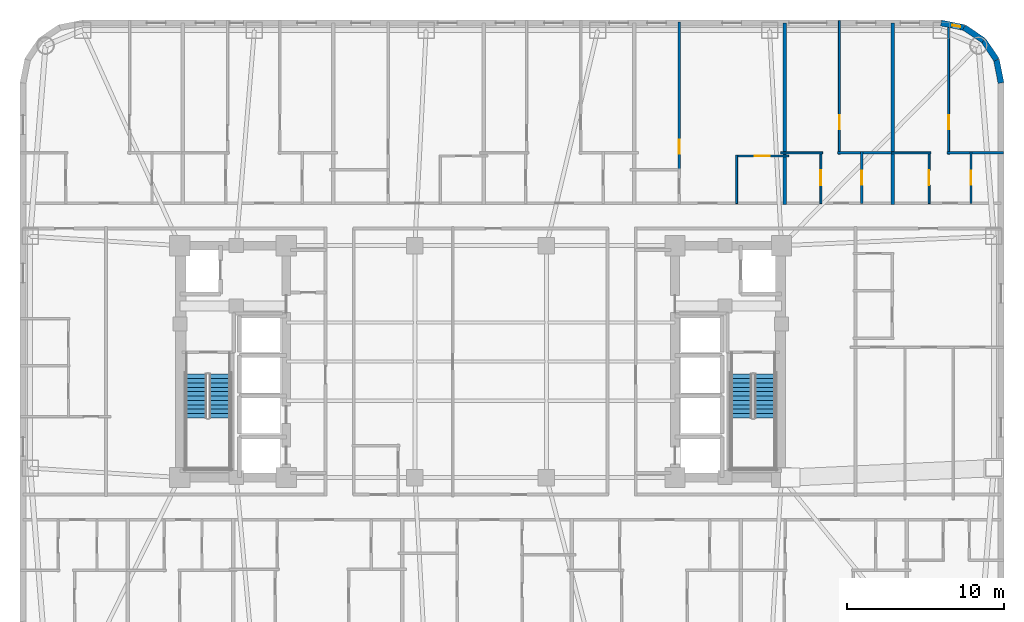
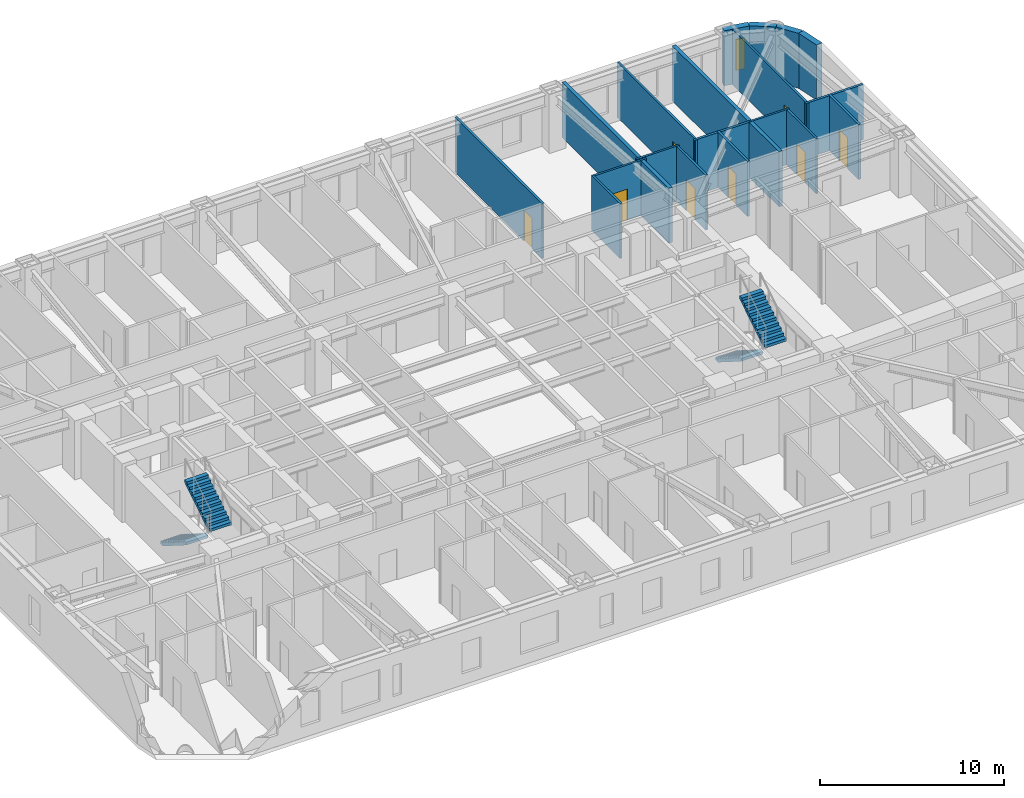
# One storey, part 9 of 11: 19 walls, 8 doors, 4 stair flights, 1 window, 9 openings, 2 elements without a shape of their own.
"""IFC4 building model written with IfcOpenShell, lengths in metres."""

from ifc_helpers import new_model, si_unit, direction, frame, frame_2d, origin, place, context, subcontext, project, spatial, polyline, rectangle, outline, extrude, material, layer, layer_set, type_object, element, fill, aggregate, save


model = new_model("IFC4")

# Units and contexts
model_context = context("Model", 3, precision=1e-05, world=origin(), true_north=direction((0.0, 1.0)))
body_context = subcontext(model_context, "Body", "Model", "MODEL_VIEW")
ifc_project = project(units=[si_unit("LENGTHUNIT", "METRE"), si_unit("AREAUNIT", "SQUARE_METRE"), si_unit("VOLUMEUNIT", "CUBIC_METRE"), si_unit("PLANEANGLEUNIT", "RADIAN"), si_unit("MASSUNIT", "GRAM", prefix="KILO")], contexts=[model_context])

# Site, building, storey
site_placement = place(None, origin())
site = spatial("IfcSite", under=ifc_project, at=site_placement, CompositionType="ELEMENT")
building_placement = place(site_placement, origin())
building = spatial("IfcBuilding", under=site, at=building_placement, Name="Voryun Gate Residences", CompositionType="ELEMENT")
storey_placement = place(building_placement, frame((0.0, 0.0, 105.300048828125)))
storey = spatial("IfcBuildingStorey", under=building, at=storey_placement, Name="L25", CompositionType="ELEMENT", Elevation=105.300048828125)

# Wall, opening, window
ifc_material_1 = material(Name="Granite masonry", Category="masonry")
ifc_layer_1 = layer(ifc_material_1, 0.3798828125, Name="W_EXT_GRANITE_380")
ifc_layer_set_1 = layer_set([ifc_layer_1], Name="Granite masonry")
wall_type_1 = type_object("IfcWallType", Name="W_EXT_GRANITE_380", PredefinedType="ELEMENTEDWALL", material=ifc_layer_set_1)
wall_1_placement = place(storey_placement, frame((29.38134765625, 21.610107421875, 0.0), z_axis=(0.0, 0.0, 1.0), x_axis=(0.980755066645, -0.195242155415, 0.0)))
wall_1 = element("IfcWall", 1, at=wall_1_placement, inside=storey, type_object=wall_type_1, Name="Exterior wall WEXT-L25-12", PredefinedType="ELEMENTEDWALL", context=body_context, shape_type="SweptSolid", body=[
    extrude(rectangle(XDim=1.50439453125, YDim=0.3798828125, at=frame_2d((0.752197265625, 0.0))), origin(), (0.0, 0.0, 1.0), 3.64990234375),
])
opening_1_placement = place(wall_1_placement, frame((0.732177734375, 0.0, 0.75)))
opening_1 = element("IfcOpeningElement", 2, at=opening_1_placement, cuts=wall_1, Name="Opening WN10", PredefinedType="OPENING", context=body_context, shape_type="SweptSolid", body=[
    extrude(rectangle(XDim=0.52001953125, YDim=2.050048828125, at=frame_2d((0.260009765625, 1.02490234375))), frame((0.0, 0.199951171875, 0.0), z_axis=(0.0, -1.0, 0.0), x_axis=(1.0, 0.0, 0.0)), (0.0, 0.0, 1.0), 0.39990234375),
])
ifc_material_2 = material(Name="Laminated low-E glass", Category="glass")
window_type = type_object("IfcWindowType", Name="WN_PAGODA_LANCET_520", PartitioningType="SINGLE_PANEL", PredefinedType="WINDOW", material=ifc_material_2)
window_placement = place(opening_1_placement, origin())
window = element("IfcWindow", 3, at=window_placement, inside=storey, type_object=window_type, Name="Window WN-L25-DWFIX-15", OverallHeight=2.050048828125, OverallWidth=0.52001953125, PartitioningType="SINGLE_PANEL", PredefinedType="WINDOW", context=body_context, shape_type="SweptSolid", body=[
    extrude(rectangle(XDim=0.52001953125, YDim=2.050048828125, at=frame_2d((0.260009765625, 1.02490234375))), frame((0.0, 0.030029296875, 0.0), z_axis=(0.0, -1.0, 0.0), x_axis=(1.0, 0.0, 0.0)), (0.0, 0.0, 1.0), 0.06005859375),
])
fill(opening_1, window)

# Walls
wall_2_placement = place(storey_placement, frame((30.856689453125, 21.31640625, 0.0), z_axis=(0.0, 0.0, 1.0), x_axis=(0.831468045563, -0.555572577804, 0.0)))
element("IfcWall", 4, at=wall_2_placement, inside=storey, type_object=wall_type_1, Name="Exterior wall WEXT-L25-13", PredefinedType="ELEMENTEDWALL", context=body_context, shape_type="SweptSolid", body=[
    extrude(rectangle(XDim=1.48486328125, YDim=0.3798828125, at=frame_2d((0.742431640625, 0.0))), origin(), (0.0, 0.0, 1.0), 3.64990234375),
])
wall_3_placement = place(storey_placement, frame((32.09130859375, 20.491455078125, 0.0), z_axis=(0.0, 0.0, 1.0), x_axis=(0.555610286119, -0.831442848281, 0.0)))
element("IfcWall", 5, at=wall_3_placement, inside=storey, type_object=wall_type_1, Name="Exterior wall WEXT-L25-14", PredefinedType="ELEMENTEDWALL", context=body_context, shape_type="SweptSolid", body=[
    extrude(rectangle(XDim=1.485107421875, YDim=0.3798828125, at=frame_2d((0.74267578125, 0.0))), origin(), (0.0, 0.0, 1.0), 3.64990234375),
])
wall_4_placement = place(storey_placement, frame((32.91650390625, 19.256591796875, 0.0), z_axis=(0.0, 0.0, 1.0), x_axis=(0.195086038585, -0.980786132421, 0.0)))
element("IfcWall", 6, at=wall_4_placement, inside=storey, type_object=wall_type_1, Name="Exterior wall WEXT-L25-15", PredefinedType="ELEMENTEDWALL", context=body_context, shape_type="SweptSolid", body=[
    extrude(rectangle(XDim=1.504150390625, YDim=0.3798828125, at=frame_2d((0.751953125, 0.0))), origin(), (0.0, 0.0, 1.0), 3.64990234375),
])
ifc_material_3 = material(Name="Concrete C40/50", Category="concrete")
ifc_layer_2 = layer(ifc_material_3, 0.219970703125, Name="W_PARTY_ACOUSTIC_220")
ifc_layer_set_2 = layer_set([ifc_layer_2], Name="Concrete C40/50")
wall_type_2 = type_object("IfcWallType", Name="W_PARTY_ACOUSTIC_220", PredefinedType="PARTITIONING", material=ifc_layer_set_2)
for number, where, z_axis, x_axis, name in (
    (7, (19.39990234375, 10.02001953125, 0.0), (0.0, 0.0, 1.0), (0.0, 1.0, 0.0), "Partition wall WP-L25-NPTY-5"),
    (8, (26.30908203125, 10.02001953125, 0.0), (0.0, 0.0, 1.0), (0.0, 1.0, 0.0), "Partition wall WP-L25-NPTY-6"),
):
    element("IfcWall", number, at=place(storey_placement, frame(where, z_axis=z_axis, x_axis=x_axis)), inside=storey, type_object=wall_type_2, Name=name, PredefinedType="PARTITIONING", context=body_context, shape_type="SweptSolid", body=[
        extrude(rectangle(XDim=11.590087890625, YDim=0.219970703125, at=frame_2d((5.794921875, 0.0))), origin(), (0.0, 0.0, 1.0), 3.64990234375),
    ])

# Wall, opening, door
ifc_material_4 = material(Name="Gypsum acoustic partition")
ifc_layer_3 = layer(ifc_material_4, 0.125, Name="W_UNIT_PART_125")
ifc_layer_set_3 = layer_set([ifc_layer_3], Name="Gypsum acoustic partition")
wall_type_3 = type_object("IfcWallType", Name="W_UNIT_PART_125", PredefinedType="PARTITIONING", material=ifc_layer_set_3)
wall_5_placement = place(storey_placement, frame((16.277099609375, 13.1201171875, 0.0), z_axis=(0.0, 0.0, 1.0), x_axis=(1.0, 0.0, 0.0)))
wall_5 = element("IfcWall", 9, at=wall_5_placement, inside=storey, type_object=wall_type_3, Name="Partition wall WP-L25-N5-KHY", PredefinedType="PARTITIONING", context=body_context, shape_type="SweptSolid", body=[
    extrude(rectangle(XDim=3.3828125, YDim=0.125, at=frame_2d((1.69140625, 0.0))), origin(), (0.0, 0.0, 1.0), 3.64990234375),
])
opening_2_placement = place(wall_5_placement, frame((1.216552734375, 0.0, 0.0)))
opening_2 = element("IfcOpeningElement", 10, at=opening_2_placement, cuts=wall_5, Name="Opening D-INT-1", PredefinedType="OPENING", context=body_context, shape_type="SweptSolid", body=[
    extrude(rectangle(XDim=0.949951171875, YDim=2.050048828125, at=frame_2d((0.47509765625, 1.02490234375))), frame((0.0, 0.072509765625, 0.0), z_axis=(0.0, -1.0, 0.0), x_axis=(1.0, 0.0, 0.0)), (0.0, 0.0, 1.0), 0.14501953125),
])
ifc_material_5 = material(Name="Architectural oak veneer")
door_type_1 = type_object("IfcDoorType", Name="DR_INT_ROOM_950", OperationType="NOTDEFINED", PredefinedType="DOOR", material=ifc_material_5)
door_1_placement = place(opening_2_placement, origin())
door_1 = element("IfcDoor", 11, at=door_1_placement, inside=storey, type_object=door_type_1, Name="Door DR-L25-N5-DK", OperationType="SINGLE_SWING_LEFT", OverallHeight=2.050048828125, OverallWidth=0.949951171875, PredefinedType="DOOR", context=body_context, shape_type="SweptSolid", body=[
    extrude(rectangle(XDim=0.949951171875, YDim=2.050048828125, at=frame_2d((0.47509765625, 1.02490234375))), frame((0.0, 0.02490234375, 0.0), z_axis=(0.0, -1.0, 0.0), x_axis=(1.0, 0.0, 0.0)), (0.0, 0.0, 1.0), 0.050048828125),
])
fill(opening_2, door_1)

# Wall
wall_6_placement = place(storey_placement, frame((16.3369140625, 10.080078125, 0.0), z_axis=(0.0, 0.0, 1.0), x_axis=(0.0, 1.0, 0.0)))
element("IfcWall", 12, at=wall_6_placement, inside=storey, type_object=wall_type_3, Name="Partition wall WP-L25-N5-KVX", PredefinedType="PARTITIONING", context=body_context, shape_type="SweptSolid", body=[
    extrude(rectangle(XDim=3.099853515625, YDim=0.125, at=frame_2d((1.5498046875, 0.0))), origin(), (0.0, 0.0, 1.0), 3.64990234375),
])

# Wall, opening, door
wall_7_placement = place(storey_placement, frame((22.89892578125, 13.239990234375, 0.0), z_axis=(0.0, 0.0, 1.0), x_axis=(0.0, 1.0, 0.0)))
wall_7 = element("IfcWall", 13, at=wall_7_placement, inside=storey, type_object=wall_type_3, Name="Partition wall WP-L25-N6-OVR", PredefinedType="PARTITIONING", context=body_context, shape_type="SweptSolid", body=[
    extrude(rectangle(XDim=8.52001953125, YDim=0.125, at=frame_2d((4.260009765625, 0.0))), origin(), (0.0, 0.0, 1.0), 3.64990234375),
])
opening_3_placement = place(wall_7_placement, frame((1.5947265625, 0.0, 0.0)))
opening_3 = element("IfcOpeningElement", 14, at=opening_3_placement, cuts=wall_7, Name="Opening D-INT-2", PredefinedType="OPENING", context=body_context, shape_type="SweptSolid", body=[
    extrude(rectangle(XDim=0.89990234375, YDim=2.050048828125, at=frame_2d((0.449951171875, 1.02490234375))), frame((0.0, 0.072509765625, 0.0), z_axis=(0.0, -1.0, 0.0), x_axis=(1.0, 0.0, 0.0)), (0.0, 0.0, 1.0), 0.14501953125),
])
ifc_material_6 = material(Name="Architectural oak veneer")
door_type_2 = type_object("IfcDoorType", Name="DR_INT_BATH_900", OperationType="NOTDEFINED", PredefinedType="DOOR", material=ifc_material_6)
door_2_placement = place(opening_3_placement, origin())
door_2 = element("IfcDoor", 15, at=door_2_placement, inside=storey, type_object=door_type_2, Name="Door DR-L25-N6-DMB", OperationType="SINGLE_SWING_RIGHT", OverallHeight=2.050048828125, OverallWidth=0.89990234375, PredefinedType="DOOR", context=body_context, shape_type="SweptSolid", body=[
    extrude(rectangle(XDim=0.89990234375, YDim=2.050048828125, at=frame_2d((0.449951171875, 1.02490234375))), frame((0.0, 0.02490234375, 0.0), z_axis=(0.0, -1.0, 0.0), x_axis=(1.0, 0.0, 0.0)), (0.0, 0.0, 1.0), 0.050048828125),
])
fill(opening_3, door_2)

wall_8_placement = place(storey_placement, frame((21.7099609375, 10.080078125, 0.0), z_axis=(0.0, 0.0, 1.0), x_axis=(0.0, 1.0, 0.0)))
wall_8 = element("IfcWall", 16, at=wall_8_placement, inside=storey, type_object=wall_type_3, Name="Partition wall WP-L25-N6-IVK", PredefinedType="PARTITIONING", context=body_context, shape_type="SweptSolid", body=[
    extrude(rectangle(XDim=3.31982421875, YDim=0.125, at=frame_2d((1.659912109375, 0.0))), origin(), (0.0, 0.0, 1.0), 3.64990234375),
])
opening_4_placement = place(wall_8_placement, frame((1.18505859375, 0.0, 0.0)))
opening_4 = element("IfcOpeningElement", 17, at=opening_4_placement, cuts=wall_8, Name="Opening D-INT-1", PredefinedType="OPENING", context=body_context, shape_type="SweptSolid", body=[
    extrude(rectangle(XDim=0.949951171875, YDim=2.050048828125, at=frame_2d((0.47509765625, 1.02490234375))), frame((0.0, 0.072509765625, 0.0), z_axis=(0.0, -1.0, 0.0), x_axis=(1.0, 0.0, 0.0)), (0.0, 0.0, 1.0), 0.14501953125),
])
door_3_placement = place(opening_4_placement, origin())
door_3 = element("IfcDoor", 18, at=door_3_placement, inside=storey, type_object=door_type_1, Name="Door DR-L25-N6-DK", OperationType="SINGLE_SWING_LEFT", OverallHeight=2.050048828125, OverallWidth=0.949951171875, PredefinedType="DOOR", context=body_context, shape_type="SweptSolid", body=[
    extrude(rectangle(XDim=0.949951171875, YDim=2.050048828125, at=frame_2d((0.47509765625, 1.02490234375))), frame((0.0, 0.02490234375, 0.0), z_axis=(0.0, -1.0, 0.0), x_axis=(1.0, 0.0, 0.0)), (0.0, 0.0, 1.0), 0.050048828125),
])
fill(opening_4, door_3)

# Wall
wall_9_placement = place(storey_placement, frame((19.139892578125, 13.320068359375, 0.0), z_axis=(0.0, 0.0, 1.0), x_axis=(1.0, 0.0, 0.0)))
element("IfcWall", 19, at=wall_9_placement, inside=storey, type_object=wall_type_3, Name="Partition wall WP-L25-N6-HZK", PredefinedType="PARTITIONING", context=body_context, shape_type="SweptSolid", body=[
    extrude(rectangle(XDim=2.690185546875, YDim=0.125, at=frame_2d((1.34521484375, 0.0))), origin(), (0.0, 0.0, 1.0), 3.64990234375),
])

# Wall, opening, door
wall_10_placement = place(storey_placement, frame((29.867919921875, 13.239990234375, 0.0), z_axis=(0.0, 0.0, 1.0), x_axis=(0.0, 1.0, 0.0)))
wall_10 = element("IfcWall", 20, at=wall_10_placement, inside=storey, type_object=wall_type_3, Name="Partition wall WP-L25-N7-OVR", PredefinedType="PARTITIONING", context=body_context, shape_type="SweptSolid", body=[
    extrude(rectangle(XDim=8.426025390625, YDim=0.125, at=frame_2d((4.212890625, 0.0))), origin(), (0.0, 0.0, 1.0), 3.64990234375),
])
opening_5_placement = place(wall_10_placement, frame((1.572265625, 0.0, 0.0)))
opening_5 = element("IfcOpeningElement", 21, at=opening_5_placement, cuts=wall_10, Name="Opening D-INT-2", PredefinedType="OPENING", context=body_context, shape_type="SweptSolid", body=[
    extrude(rectangle(XDim=0.89990234375, YDim=2.050048828125, at=frame_2d((0.449951171875, 1.02490234375))), frame((0.0, 0.072509765625, 0.0), z_axis=(0.0, -1.0, 0.0), x_axis=(1.0, 0.0, 0.0)), (0.0, 0.0, 1.0), 0.14501953125),
])
door_4_placement = place(opening_5_placement, origin())
door_4 = element("IfcDoor", 22, at=door_4_placement, inside=storey, type_object=door_type_2, Name="Door DR-L25-N7-DMB", OperationType="SINGLE_SWING_RIGHT", OverallHeight=2.050048828125, OverallWidth=0.89990234375, PredefinedType="DOOR", context=body_context, shape_type="SweptSolid", body=[
    extrude(rectangle(XDim=0.89990234375, YDim=2.050048828125, at=frame_2d((0.449951171875, 1.02490234375))), frame((0.0, 0.02490234375, 0.0), z_axis=(0.0, -1.0, 0.0), x_axis=(1.0, 0.0, 0.0)), (0.0, 0.0, 1.0), 0.050048828125),
])
fill(opening_5, door_4)

wall_11_placement = place(storey_placement, frame((28.618896484375, 10.080078125, 0.0), z_axis=(0.0, 0.0, 1.0), x_axis=(0.0, 1.0, 0.0)))
wall_11 = element("IfcWall", 23, at=wall_11_placement, inside=storey, type_object=wall_type_3, Name="Partition wall WP-L25-N7-IVK", PredefinedType="PARTITIONING", context=body_context, shape_type="SweptSolid", body=[
    extrude(rectangle(XDim=3.31982421875, YDim=0.125, at=frame_2d((1.659912109375, 0.0))), origin(), (0.0, 0.0, 1.0), 3.64990234375),
])
opening_6_placement = place(wall_11_placement, frame((1.18505859375, 0.0, 0.0)))
opening_6 = element("IfcOpeningElement", 24, at=opening_6_placement, cuts=wall_11, Name="Opening D-INT-1", PredefinedType="OPENING", context=body_context, shape_type="SweptSolid", body=[
    extrude(rectangle(XDim=0.949951171875, YDim=2.050048828125, at=frame_2d((0.47509765625, 1.02490234375))), frame((0.0, 0.072509765625, 0.0), z_axis=(0.0, -1.0, 0.0), x_axis=(1.0, 0.0, 0.0)), (0.0, 0.0, 1.0), 0.14501953125),
])
door_5_placement = place(opening_6_placement, origin())
door_5 = element("IfcDoor", 25, at=door_5_placement, inside=storey, type_object=door_type_1, Name="Door DR-L25-N7-DK", OperationType="SINGLE_SWING_LEFT", OverallHeight=2.050048828125, OverallWidth=0.949951171875, PredefinedType="DOOR", context=body_context, shape_type="SweptSolid", body=[
    extrude(rectangle(XDim=0.949951171875, YDim=2.050048828125, at=frame_2d((0.47509765625, 1.02490234375))), frame((0.0, 0.02490234375, 0.0), z_axis=(0.0, -1.0, 0.0), x_axis=(1.0, 0.0, 0.0)), (0.0, 0.0, 1.0), 0.050048828125),
])
fill(opening_6, door_5)

# Wall
wall_12_placement = place(storey_placement, frame((26.23388671875, 13.320068359375, 0.0), z_axis=(0.0, 0.0, 1.0), x_axis=(1.0, 0.0, 0.0)))
element("IfcWall", 26, at=wall_12_placement, inside=storey, type_object=wall_type_3, Name="Partition wall WP-L25-N7-HZK", PredefinedType="PARTITIONING", context=body_context, shape_type="SweptSolid", body=[
    extrude(rectangle(XDim=2.505126953125, YDim=0.125, at=frame_2d((1.25244140625, 0.0))), origin(), (0.0, 0.0, 1.0), 3.64990234375),
])

# Wall, opening, door
ifc_material_7 = material(Name="Gypsum moisture-resistant partition")
ifc_layer_4 = layer(ifc_material_7, 0.14990234375, Name="W_WET_PLUMB_150")
ifc_layer_set_4 = layer_set([ifc_layer_4], Name="Gypsum moisture-resistant partition")
wall_type_4 = type_object("IfcWallType", Name="W_WET_PLUMB_150", PredefinedType="PLUMBINGWALL", material=ifc_layer_set_4)
wall_13_placement = place(storey_placement, frame((12.666015625, 12.199951171875, 0.0), z_axis=(0.0, 0.0, 1.0), x_axis=(0.0, 1.0, 0.0)))
wall_13 = element("IfcWall", 27, at=wall_13_placement, inside=storey, type_object=wall_type_4, Name="Partition wall WP-L25-N5-LVX2", PredefinedType="PLUMBINGWALL", context=body_context, shape_type="SweptSolid", body=[
    extrude(rectangle(XDim=9.457763671875, YDim=0.14990234375, at=frame_2d((4.72900390625, 0.0))), origin(), (0.0, 0.0, 1.0), 3.64990234375),
])
opening_7_placement = place(wall_13_placement, frame((1.063232421875, 0.0, 0.0)))
opening_7 = element("IfcOpeningElement", 28, at=opening_7_placement, cuts=wall_13, Name="Opening D-INT-2", PredefinedType="OPENING", context=body_context, shape_type="SweptSolid", body=[
    extrude(rectangle(XDim=0.89990234375, YDim=2.050048828125, at=frame_2d((0.449951171875, 1.02490234375))), frame((0.0, 0.0849609375, 0.0), z_axis=(0.0, -1.0, 0.0), x_axis=(1.0, 0.0, 0.0)), (0.0, 0.0, 1.0), 0.169921875),
])
door_6_placement = place(opening_7_placement, origin())
door_6 = element("IfcDoor", 29, at=door_6_placement, inside=storey, type_object=door_type_2, Name="Door DR-L25-N5-DMB", OperationType="SINGLE_SWING_RIGHT", OverallHeight=2.050048828125, OverallWidth=0.89990234375, PredefinedType="DOOR", context=body_context, shape_type="SweptSolid", body=[
    extrude(rectangle(XDim=0.89990234375, YDim=2.050048828125, at=frame_2d((0.449951171875, 1.02490234375))), frame((0.0, 0.02490234375, 0.0), z_axis=(0.0, -1.0, 0.0), x_axis=(1.0, 0.0, 0.0)), (0.0, 0.0, 1.0), 0.050048828125),
])
fill(opening_7, door_6)

# Wall
wall_14_placement = place(storey_placement, frame((22.779052734375, 13.320068359375, 0.0), z_axis=(0.0, 0.0, 1.0), x_axis=(1.0, 0.0, 0.0)))
element("IfcWall", 30, at=wall_14_placement, inside=storey, type_object=wall_type_4, Name="Partition wall WP-L25-N6-HZB", PredefinedType="PLUMBINGWALL", context=body_context, shape_type="SweptSolid", body=[
    extrude(rectangle(XDim=3.60498046875, YDim=0.14990234375, at=frame_2d((1.802490234375, 0.0))), origin(), (0.0, 0.0, 1.0), 3.64990234375),
])

# Wall, opening, door
wall_15_placement = place(storey_placement, frame((24.3291015625, 10.080078125, 0.0), z_axis=(0.0, 0.0, 1.0), x_axis=(0.0, 1.0, 0.0)))
wall_15 = element("IfcWall", 31, at=wall_15_placement, inside=storey, type_object=wall_type_4, Name="Partition wall WP-L25-N6-IVB", PredefinedType="PLUMBINGWALL", context=body_context, shape_type="SweptSolid", body=[
    extrude(rectangle(XDim=3.31982421875, YDim=0.14990234375, at=frame_2d((1.659912109375, 0.0))), origin(), (0.0, 0.0, 1.0), 3.64990234375),
])
opening_8_placement = place(wall_15_placement, frame((1.2099609375, 0.0, 0.0)))
opening_8 = element("IfcOpeningElement", 32, at=opening_8_placement, cuts=wall_15, Name="Opening D-INT-2", PredefinedType="OPENING", context=body_context, shape_type="SweptSolid", body=[
    extrude(rectangle(XDim=0.89990234375, YDim=2.050048828125, at=frame_2d((0.449951171875, 1.02490234375))), frame((0.0, 0.0849609375, 0.0), z_axis=(0.0, -1.0, 0.0), x_axis=(1.0, 0.0, 0.0)), (0.0, 0.0, 1.0), 0.169921875),
])
door_7_placement = place(opening_8_placement, origin())
door_7 = element("IfcDoor", 33, at=door_7_placement, inside=storey, type_object=door_type_2, Name="Door DR-L25-N6-DB", OperationType="SINGLE_SWING_RIGHT", OverallHeight=2.050048828125, OverallWidth=0.89990234375, PredefinedType="DOOR", context=body_context, shape_type="SweptSolid", body=[
    extrude(rectangle(XDim=0.89990234375, YDim=2.050048828125, at=frame_2d((0.449951171875, 1.02490234375))), frame((0.0, 0.02490234375, 0.0), z_axis=(0.0, -1.0, 0.0), x_axis=(1.0, 0.0, 0.0)), (0.0, 0.0, 1.0), 0.050048828125),
])
fill(opening_8, door_7)

# Wall
wall_16_placement = place(storey_placement, frame((29.748046875, 13.320068359375, 0.0), z_axis=(0.0, 0.0, 1.0), x_axis=(1.0, 0.0, 0.0)))
element("IfcWall", 34, at=wall_16_placement, inside=storey, type_object=wall_type_4, Name="Partition wall WP-L25-N7-HZB", PredefinedType="PLUMBINGWALL", context=body_context, shape_type="SweptSolid", body=[
    extrude(rectangle(XDim=3.612060546875, YDim=0.14990234375, at=frame_2d((1.80615234375, 0.0))), origin(), (0.0, 0.0, 1.0), 3.64990234375),
])

# Wall, opening, door
wall_17_placement = place(storey_placement, frame((31.298095703125, 10.080078125, 0.0), z_axis=(0.0, 0.0, 1.0), x_axis=(0.0, 1.0, 0.0)))
wall_17 = element("IfcWall", 35, at=wall_17_placement, inside=storey, type_object=wall_type_4, Name="Partition wall WP-L25-N7-IVB", PredefinedType="PLUMBINGWALL", context=body_context, shape_type="SweptSolid", body=[
    extrude(rectangle(XDim=3.31982421875, YDim=0.14990234375, at=frame_2d((1.659912109375, 0.0))), origin(), (0.0, 0.0, 1.0), 3.64990234375),
])
opening_9_placement = place(wall_17_placement, frame((1.2099609375, 0.0, 0.0)))
opening_9 = element("IfcOpeningElement", 36, at=opening_9_placement, cuts=wall_17, Name="Opening D-INT-2", PredefinedType="OPENING", context=body_context, shape_type="SweptSolid", body=[
    extrude(rectangle(XDim=0.89990234375, YDim=2.050048828125, at=frame_2d((0.449951171875, 1.02490234375))), frame((0.0, 0.0849609375, 0.0), z_axis=(0.0, -1.0, 0.0), x_axis=(1.0, 0.0, 0.0)), (0.0, 0.0, 1.0), 0.169921875),
])
door_8_placement = place(opening_9_placement, origin())
door_8 = element("IfcDoor", 37, at=door_8_placement, inside=storey, type_object=door_type_2, Name="Door DR-L25-N7-DB", OperationType="SINGLE_SWING_RIGHT", OverallHeight=2.050048828125, OverallWidth=0.89990234375, PredefinedType="DOOR", context=body_context, shape_type="SweptSolid", body=[
    extrude(rectangle(XDim=0.89990234375, YDim=2.050048828125, at=frame_2d((0.449951171875, 1.02490234375))), frame((0.0, 0.02490234375, 0.0), z_axis=(0.0, -1.0, 0.0), x_axis=(1.0, 0.0, 0.0)), (0.0, 0.0, 1.0), 0.050048828125),
])
fill(opening_9, door_8)

# Stair, stair flights
ifc_material_8 = material(Name="Concrete C40/50", Category="concrete")
stair_type = type_object("IfcStairType", Name="STR_CORE_DOGLEG_1350", PredefinedType="HALF_TURN_STAIR", material=ifc_material_8)
stair_1_placement = place(storey_placement, origin())
stair_1 = element("IfcStair", 38, at=stair_1_placement, inside=storey, type_object=stair_type, Name="L25 Special Escape Stair ST-W1", PredefinedType="HALF_TURN_STAIR")
ifc_material_9 = material(Name="Concrete C40/50", Category="concrete")
stair_flight_type = type_object("IfcStairFlightType", Name="FLT_CORE_1350", PredefinedType="STRAIGHT", material=ifc_material_9)
stair_flight_1_placement = place(storey_placement, frame((-18.14990234375, -0.800048828125, 0.0), z_axis=(0.0, 0.0, 1.0), x_axis=(0.0, -1.0, 0.0)))
stair_flight_1 = element("IfcStairFlight", 39, at=stair_flight_1_placement, type_object=stair_flight_type, Name="ST-W1 flight 1", NumberOfRisers=11, NumberOfTreads=10, PredefinedType="STRAIGHT", RiserHeight=0.177272727, TreadLength=0.28, context=body_context, shape_type="SweptSolid", body=[
    extrude(outline(polyline([(0.0, 0.0), (0.0, 0.17724609375), (0.280029296875, 0.17724609375), (0.280029296875, 0.3544921875), (0.56005859375, 0.3544921875), (0.56005859375, 0.53173828125), (0.840087890625, 0.53173828125), (0.840087890625, 0.708984375), (1.1201171875, 0.708984375), (1.1201171875, 0.886474609375), (1.39990234375, 0.886474609375), (1.39990234375, 1.063720703125), (1.679931640625, 1.063720703125), (1.679931640625, 1.240966796875), (1.9599609375, 1.240966796875), (1.9599609375, 1.418212890625), (2.239990234375, 1.418212890625), (2.239990234375, 1.595458984375), (2.52001953125, 1.595458984375), (2.52001953125, 1.772705078125), (2.800048828125, 1.772705078125), (2.800048828125, 1.949951171875), (2.800048828125, 1.59521484375), (0.2802734375, 0.0), (0.0, 0.0)])), frame((0.0, 0.675048828125, 0.0), z_axis=(0.0, -1.0, 0.0), x_axis=(1.0, 0.0, 0.0)), (0.0, 0.0, 1.0), 1.35009765625),
])
stair_flight_2_placement = place(storey_placement, frame((-16.64990234375, -3.60009765625, 1.949951171875), z_axis=(0.0, 0.0, 1.0), x_axis=(0.0, 1.0, 0.0)))
stair_flight_2 = element("IfcStairFlight", 40, at=stair_flight_2_placement, type_object=stair_flight_type, Name="ST-W1 flight 2", NumberOfRisers=11, NumberOfTreads=10, PredefinedType="STRAIGHT", RiserHeight=0.177272727, TreadLength=0.28, context=body_context, shape_type="SweptSolid", body=[
    extrude(outline(polyline([(0.0, 0.0), (0.0, 0.17724609375), (0.280029296875, 0.17724609375), (0.280029296875, 0.3544921875), (0.56005859375, 0.3544921875), (0.56005859375, 0.53173828125), (0.840087890625, 0.53173828125), (0.840087890625, 0.708984375), (1.1201171875, 0.708984375), (1.1201171875, 0.886474609375), (1.39990234375, 0.886474609375), (1.39990234375, 1.063720703125), (1.679931640625, 1.063720703125), (1.679931640625, 1.240966796875), (1.9599609375, 1.240966796875), (1.9599609375, 1.418212890625), (2.239990234375, 1.418212890625), (2.239990234375, 1.595458984375), (2.52001953125, 1.595458984375), (2.52001953125, 1.772705078125), (2.800048828125, 1.772705078125), (2.800048828125, 1.949951171875), (2.800048828125, 1.59521484375), (0.2802734375, 0.0), (0.0, 0.0)])), frame((0.0, 0.675048828125, 0.0), z_axis=(0.0, -1.0, 0.0), x_axis=(1.0, 0.0, 0.0)), (0.0, 0.0, 1.0), 1.35009765625),
])
aggregate(stair_1, [stair_flight_1, stair_flight_2])

stair_2_placement = place(storey_placement, origin())
stair_2 = element("IfcStair", 41, at=stair_2_placement, inside=storey, type_object=stair_type, Name="L25 Special Escape Stair ST-E1", PredefinedType="HALF_TURN_STAIR")
stair_flight_3_placement = place(storey_placement, frame((16.64990234375, -0.800048828125, 0.0), z_axis=(0.0, 0.0, 1.0), x_axis=(0.0, -1.0, 0.0)))
stair_flight_3 = element("IfcStairFlight", 42, at=stair_flight_3_placement, type_object=stair_flight_type, Name="ST-E1 flight 1", NumberOfRisers=11, NumberOfTreads=10, PredefinedType="STRAIGHT", RiserHeight=0.177272727, TreadLength=0.28, context=body_context, shape_type="SweptSolid", body=[
    extrude(outline(polyline([(0.0, 0.0), (0.0, 0.17724609375), (0.280029296875, 0.17724609375), (0.280029296875, 0.3544921875), (0.56005859375, 0.3544921875), (0.56005859375, 0.53173828125), (0.840087890625, 0.53173828125), (0.840087890625, 0.708984375), (1.1201171875, 0.708984375), (1.1201171875, 0.886474609375), (1.39990234375, 0.886474609375), (1.39990234375, 1.063720703125), (1.679931640625, 1.063720703125), (1.679931640625, 1.240966796875), (1.9599609375, 1.240966796875), (1.9599609375, 1.418212890625), (2.239990234375, 1.418212890625), (2.239990234375, 1.595458984375), (2.52001953125, 1.595458984375), (2.52001953125, 1.772705078125), (2.800048828125, 1.772705078125), (2.800048828125, 1.949951171875), (2.800048828125, 1.59521484375), (0.2802734375, 0.0), (0.0, 0.0)])), frame((0.0, 0.675048828125, 0.0), z_axis=(0.0, -1.0, 0.0), x_axis=(1.0, 0.0, 0.0)), (0.0, 0.0, 1.0), 1.35009765625),
])
stair_flight_4_placement = place(storey_placement, frame((18.14990234375, -3.60009765625, 1.949951171875), z_axis=(0.0, 0.0, 1.0), x_axis=(0.0, 1.0, 0.0)))
stair_flight_4 = element("IfcStairFlight", 43, at=stair_flight_4_placement, type_object=stair_flight_type, Name="ST-E1 flight 2", NumberOfRisers=11, NumberOfTreads=10, PredefinedType="STRAIGHT", RiserHeight=0.177272727, TreadLength=0.28, context=body_context, shape_type="SweptSolid", body=[
    extrude(outline(polyline([(0.0, 0.0), (0.0, 0.17724609375), (0.280029296875, 0.17724609375), (0.280029296875, 0.3544921875), (0.56005859375, 0.3544921875), (0.56005859375, 0.53173828125), (0.840087890625, 0.53173828125), (0.840087890625, 0.708984375), (1.1201171875, 0.708984375), (1.1201171875, 0.886474609375), (1.39990234375, 0.886474609375), (1.39990234375, 1.063720703125), (1.679931640625, 1.063720703125), (1.679931640625, 1.240966796875), (1.9599609375, 1.240966796875), (1.9599609375, 1.418212890625), (2.239990234375, 1.418212890625), (2.239990234375, 1.595458984375), (2.52001953125, 1.595458984375), (2.52001953125, 1.772705078125), (2.800048828125, 1.772705078125), (2.800048828125, 1.949951171875), (2.800048828125, 1.59521484375), (0.2802734375, 0.0), (0.0, 0.0)])), frame((0.0, 0.675048828125, 0.0), z_axis=(0.0, -1.0, 0.0), x_axis=(1.0, 0.0, 0.0)), (0.0, 0.0, 1.0), 1.35009765625),
])
aggregate(stair_2, [stair_flight_3, stair_flight_4])

save(model, "model.ifc")
